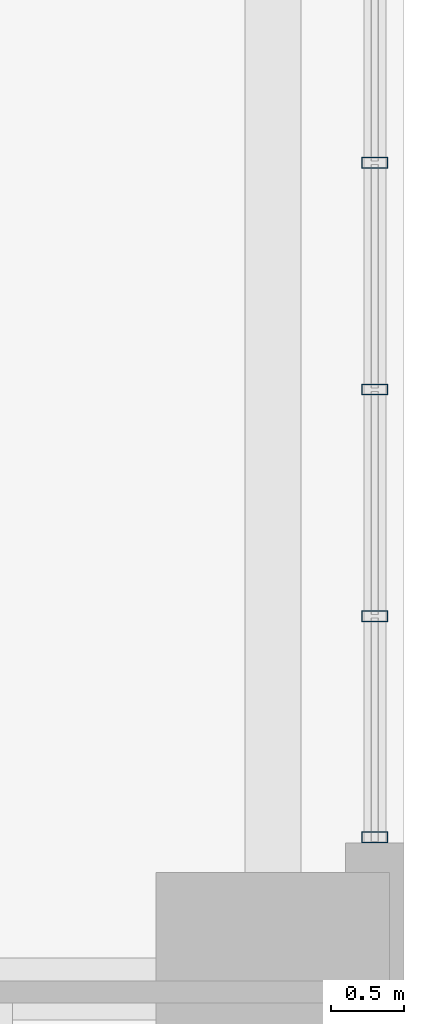
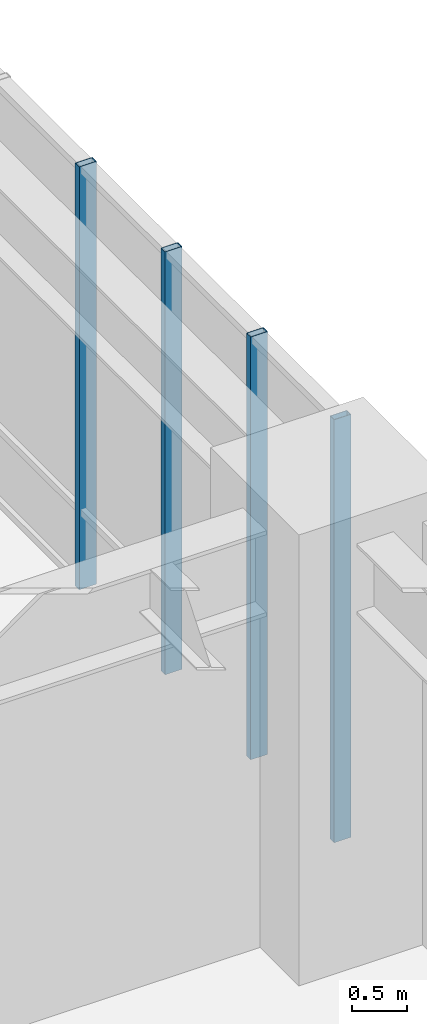
# One storey, part 8 of 18: 4 members, 1 element without a shape of its own.
"""IFC4 building model written with IfcOpenShell, lengths in metres."""

from ifc_helpers import new_model, si_unit, direction, frame, origin, origin_2d, place, context, subcontext, project, spatial, hollow_rectangle, extrude, material, layer, layer_set, material_profile, profile_set, type_object, element, aggregate, save


model = new_model("IFC4")

# Units and contexts
model_context = context("Model", 3, precision=1e-05, world=origin(), true_north=direction((0.0, 1.0)))
body_context = subcontext(model_context, "Body", "Model", "MODEL_VIEW")
ifc_project = project(units=[si_unit("LENGTHUNIT", "METRE"), si_unit("AREAUNIT", "SQUARE_METRE"), si_unit("VOLUMEUNIT", "CUBIC_METRE"), si_unit("PLANEANGLEUNIT", "RADIAN"), si_unit("MASSUNIT", "GRAM", prefix="KILO"), si_unit("THERMODYNAMICTEMPERATUREUNIT", "KELVIN"), si_unit("POWERUNIT", "WATT")], contexts=[model_context])

# Site, building, storey
site_placement = place(None, origin())
site = spatial("IfcSite", under=ifc_project, at=site_placement, CompositionType="ELEMENT")
building_placement = place(site_placement, origin())
building = spatial("IfcBuilding", under=site, at=building_placement, Name="Skarre Station Tower", CompositionType="ELEMENT")
storey_placement = place(building_placement, frame((0.0, 0.0, 11.0)))
storey = spatial("IfcBuildingStorey", under=building, at=storey_placement, Name="L03", CompositionType="ELEMENT", Elevation=11.0)

# Curtain wall, members
ifc_material_1 = material(Name="Thermally Broken Bronze-Anodized Aluminium & Triple Low-E Glass", Category="aluminium")
ifc_layer = layer(ifc_material_1, 0.239990234375, Name="Thermally Broken Bronze-Anodized Aluminium & Triple Low-E Glass")
ifc_layer_set = layer_set([ifc_layer], Name="Thermally Broken Bronze-Anodized Aluminium & Triple Low-E Glass")
curtain_wall_type = type_object("IfcCurtainWallType", Name="Station Concourse Monumental Unitised Curtain Wall", PredefinedType="NOTDEFINED", material=ifc_layer_set)
curtain_wall_placement = place(storey_placement, origin())
curtain_wall = element("IfcCurtainWall", 1, at=curtain_wall_placement, inside=storey, type_object=curtain_wall_type, Name="L03 East Forum Clerestory Curtain Wall", PredefinedType="NOTDEFINED")
ifc_material_2 = material(Name="Anodized Aluminium 6063-T6", Category="aluminium")
ifc_material_profile = material_profile(ifc_material_2, hollow_rectangle(XDim=0.074951171875, YDim=0.179931640625, WallThickness=0.00390625, at=origin_2d()), Name="Anodized Aluminium 6063-T6")
ifc_profile_set = profile_set([ifc_material_profile], Name="Anodized Aluminium 6063-T6")
member_type = type_object("IfcMemberType", Name="Curtain-Wall Heavy Concourse Mullion 180x75", PredefinedType="MULLION", material=ifc_profile_set)
member_1_placement = place(storey_placement, frame((71.800048828125, 21.6669921875, 0.0), z_axis=(0.0, 0.0, 1.0), x_axis=(0.0, -1.0, 0.0)))
member_1 = element("IfcMember", 2, at=member_1_placement, type_object=member_type, Name="L03 East Forum Clerestory Curtain Wall Mullion 7", PredefinedType="MULLION", context=body_context, shape_type="SweptSolid", body=[
    extrude(hollow_rectangle(XDim=0.074951171875, YDim=0.179931640625, WallThickness=0.00390625, at=origin_2d()), origin(), (0.0, 0.0, 1.0), 4.68994140625),
])
member_2_placement = place(storey_placement, frame((71.800048828125, 20.111083984375, 0.0), z_axis=(0.0, 0.0, 1.0), x_axis=(0.0, -1.0, 0.0)))
member_2 = element("IfcMember", 3, at=member_2_placement, type_object=member_type, Name="L03 East Forum Clerestory Curtain Wall Mullion 8", PredefinedType="MULLION", context=body_context, shape_type="SweptSolid", body=[
    extrude(hollow_rectangle(XDim=0.074951171875, YDim=0.179931640625, WallThickness=0.00390625, at=origin_2d()), origin(), (0.0, 0.0, 1.0), 4.68994140625),
])
member_3_placement = place(storey_placement, frame((71.800048828125, 18.555908203125, 0.0), z_axis=(0.0, 0.0, 1.0), x_axis=(0.0, -1.0, 0.0)))
member_3 = element("IfcMember", 4, at=member_3_placement, type_object=member_type, Name="L03 East Forum Clerestory Curtain Wall Mullion 9", PredefinedType="MULLION", context=body_context, shape_type="SweptSolid", body=[
    extrude(hollow_rectangle(XDim=0.074951171875, YDim=0.179931640625, WallThickness=0.00390625, at=origin_2d()), origin(), (0.0, 0.0, 1.0), 4.68994140625),
])
member_4_placement = place(storey_placement, frame((71.800048828125, 17.0400390625, 0.0), z_axis=(0.0, 0.0, 1.0), x_axis=(0.0, -1.0, 0.0)))
member_4 = element("IfcMember", 5, at=member_4_placement, type_object=member_type, Name="L03 East Forum Clerestory Curtain Wall Mullion 10", PredefinedType="MULLION", context=body_context, shape_type="SweptSolid", body=[
    extrude(hollow_rectangle(XDim=0.074951171875, YDim=0.179931640625, WallThickness=0.00390625, at=origin_2d()), origin(), (0.0, 0.0, 1.0), 4.68994140625),
])
aggregate(curtain_wall, [member_1, member_2, member_3, member_4])

save(model, "model.ifc")
